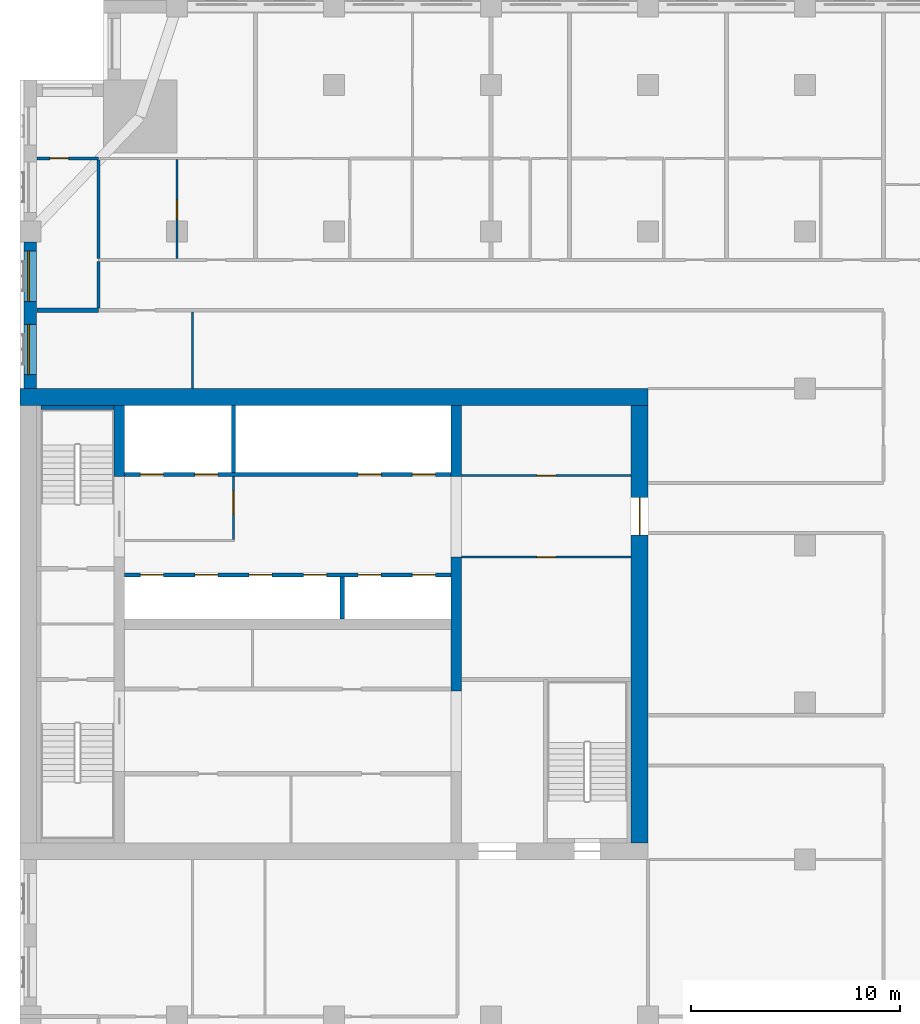
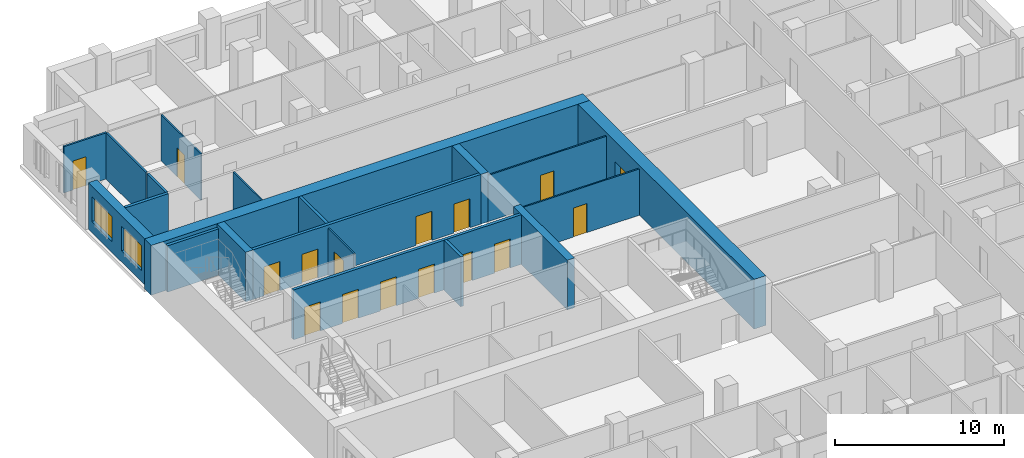
# One storey, part 8 of 14: 20 walls, 16 doors, 2 windows, 18 openings.
"""IFC4 building model written with IfcOpenShell, lengths in metres."""

import ifcopenshell
import ifcopenshell.guid

model = None  # the IFC model being written
_history = None  # IfcOwnerHistory: only IFC2X3 demands one
_inside = {}  # id of a spatial element -> (the spatial element, [elements in it])
_under = {}  # id of a project, library or spatial element -> (it, [spatial elements below it])
_declared = {}  # id of a project -> (the project, [libraries it declares])
_typed = {}  # id of a type object -> (the type object, [elements of that type])
_made_of = {}  # id of a material, layer set ... -> (it, [elements and type objects made of it])


def new_model(schema):
    """Start an empty IFC model of exactly this schema.

    Asked for "IFC4X3", IfcOpenShell would pick the latest addendum, in which some entities
    have other attributes; the version numbers below select the first issue.
    IFC2X3 requires an IfcOwnerHistory on every rooted entity: one is made here for all.
    """
    global model, _history
    if schema == "IFC4X3":
        model = ifcopenshell.file(schema_version=(4, 3, 0, 0))
    else:
        model = ifcopenshell.file(schema=schema)
    _inside.clear()
    _under.clear()
    _declared.clear()
    _typed.clear()
    _made_of.clear()
    _history = None
    if model.schema == "IFC2X3":
        org = make("IfcOrganization", Name="unknown")
        user = make(
            "IfcPersonAndOrganization",
            ThePerson=make("IfcPerson", FamilyName="unknown"),
            TheOrganization=org,
        )
        app = make(
            "IfcApplication",
            ApplicationDeveloper=org,
            Version="unknown",
            ApplicationFullName="unknown",
            ApplicationIdentifier="unknown",
        )
        _history = make(
            "IfcOwnerHistory",
            OwningUser=user,
            OwningApplication=app,
            ChangeAction="ADDED",
            CreationDate=0,
        )
    return model


def make(cls, **values):
    """One entity of the class cls with the attributes given. An attribute that is None is left unset."""
    return model.create_entity(
        cls, **{name: value for name, value in values.items() if value is not None}
    )


def rooted(cls, **values):
    """An entity with a GlobalId (a new one), such as an element, a storey or a relation."""
    return make(cls, GlobalId=ifcopenshell.guid.new(), OwnerHistory=_history, **values)


def si_unit(unit_type, name, prefix=None):
    """IfcSIUnit, for example si_unit("LENGTHUNIT", "METRE", prefix="MILLI")."""
    return make("IfcSIUnit", UnitType=unit_type, Prefix=prefix, Name=name)


def assignment(units):
    """IfcUnitAssignment: the units of a project."""
    return None if units is None else make("IfcUnitAssignment", Units=units)


def point(xyz):
    """IfcCartesianPoint."""
    return None if xyz is None else make("IfcCartesianPoint", Coordinates=xyz)


def direction(xyz):
    """IfcDirection."""
    return None if xyz is None else make("IfcDirection", DirectionRatios=xyz)


def frame(location, z_axis=None, x_axis=None):
    """IfcAxis2Placement3D, a coordinate frame: its origin and axes. An axis left out is left unset."""
    return make(
        "IfcAxis2Placement3D",
        Location=point(location),
        Axis=direction(z_axis),
        RefDirection=direction(x_axis),
    )


def frame_2d(location, x_axis=None):
    """IfcAxis2Placement2D, a coordinate frame in the plane: its origin and x axis."""
    return make(
        "IfcAxis2Placement2D", Location=point(location), RefDirection=direction(x_axis)
    )


def origin():
    """The frame at (0, 0, 0) with its axes left unset."""
    return frame((0.0, 0.0, 0.0))


def place(relative_to, where):
    """IfcLocalPlacement: puts the frame where relative to a parent placement (None: the world)."""
    return make(
        "IfcLocalPlacement", PlacementRelTo=relative_to, RelativePlacement=where
    )


def context(
    kind, dimensions, precision=None, world=None, true_north=None, identifier=None
):
    """IfcGeometricRepresentationContext, for example the 3D "Model" context."""
    return make(
        "IfcGeometricRepresentationContext",
        ContextIdentifier=identifier,
        ContextType=kind,
        CoordinateSpaceDimension=dimensions,
        Precision=precision,
        WorldCoordinateSystem=world,
        TrueNorth=true_north,
    )


def subcontext(parent, identifier, kind, view, scale=None):
    """IfcGeometricRepresentationSubContext, for example "Body" below "Model"."""
    return make(
        "IfcGeometricRepresentationSubContext",
        ContextIdentifier=identifier,
        ContextType=kind,
        ParentContext=parent,
        TargetScale=scale,
        TargetView=view,
    )


def project(units=None, contexts=None):
    """IfcProject with its units and contexts."""
    return rooted(
        "IfcProject",
        Name="project",
        RepresentationContexts=contexts,
        UnitsInContext=assignment(units),
    )


def spatial(cls, under=None, at=None, **own):
    """A site, building, storey or space (cls), placed at a placement, below another one or the project."""
    s = rooted(cls, ObjectPlacement=at, **own)
    if under is not None:
        _under.setdefault(under.id(), (under, []))[1].append(s)
    return s


def profile(cls, at=None, kind="AREA", **sizes):
    """A parametric profile (cls). Its sizes go by their IFC names, for example OverallWidth=200.0."""
    return make(cls, ProfileType=kind, Position=at, **sizes)


def rectangle(**sizes):
    """IfcRectangleProfileDef."""
    return profile("IfcRectangleProfileDef", **sizes)


def extrude(swept, where, along, depth):
    """IfcExtrudedAreaSolid: the profile swept, set in the frame where, extruded along a direction by depth."""
    return make(
        "IfcExtrudedAreaSolid",
        SweptArea=swept,
        Position=where,
        ExtrudedDirection=direction(along),
        Depth=depth,
    )


def shape(context_of_items, identifier, shape_type, items):
    """IfcShapeRepresentation: the items that make up one representation, for example the "Body"."""
    return make(
        "IfcShapeRepresentation",
        ContextOfItems=context_of_items,
        RepresentationIdentifier=identifier,
        RepresentationType=shape_type,
        Items=items,
    )


def material(Name=None, Category=None):
    """IfcMaterial."""
    return make("IfcMaterial", Name=Name, Category=Category)


def layer(
    of_material, thickness, ventilated=None, Name=None, Category=None, Priority=None
):
    """IfcMaterialLayer: one layer of a wall or slab, of a material (None: an air gap)."""
    return make(
        "IfcMaterialLayer",
        Material=of_material,
        LayerThickness=thickness,
        IsVentilated=ventilated,
        Name=Name,
        Category=Category,
        Priority=Priority,
    )


def layer_set(layers, Name=None):
    """IfcMaterialLayerSet."""
    return make("IfcMaterialLayerSet", MaterialLayers=layers, LayerSetName=Name)


def made_of(thing, what):
    """Note that an element or type object is made of a material, layer set ...; save() writes the relation."""
    if what is not None:
        _made_of.setdefault(what.id(), (what, []))[1].append(thing)
    return thing


def type_object(cls, material=None, **own):
    """A type object (cls), such as IfcWallType, which elements share."""
    return made_of(rooted(cls, **own), material)


def element(
    cls,
    number,
    at=None,
    inside=None,
    cuts=None,
    type_object=None,
    material=None,
    context=None,
    identifier="Body",
    shape_type=None,
    held_by="IfcProductDefinitionShape",
    body=None,
    shapes=None,
    **own,
):
    """One element of the class cls, such as IfcWall. Its Tag is "e" and its number.

    at: its placement. inside: the storey or other place that contains it. cuts: it is an
    opening in that element (IfcRelVoidsElement). A single representation is given by context,
    identifier, shape_type and body (its items); several are given by shapes. held_by: the class
    of the entity that holds the representations. save() writes the other relations.
    """
    e = rooted(cls, Tag="e%d" % number, ObjectPlacement=at, **own)
    if body is not None:
        shapes = [shape(context, identifier, shape_type, body)]
    if shapes is not None:
        e.Representation = make(held_by, Representations=shapes)
    if inside is not None:
        _inside.setdefault(inside.id(), (inside, []))[1].append(e)
    if cuts is not None:
        rooted(
            "IfcRelVoidsElement", RelatingBuildingElement=cuts, RelatedOpeningElement=e
        )
    if type_object is not None:
        _typed.setdefault(type_object.id(), (type_object, []))[1].append(e)
    return made_of(e, material)


def fill(opening, filler):
    """IfcRelFillsElement: the door or window that sits in an opening."""
    return rooted(
        "IfcRelFillsElement",
        RelatingOpeningElement=opening,
        RelatedBuildingElement=filler,
    )


def aggregate(whole, parts):
    """IfcRelAggregates: a whole, such as a stair, and the parts it consists of."""
    return rooted("IfcRelAggregates", RelatingObject=whole, RelatedObjects=parts)


def save(model, path):
    """Write the relations noted so far, then the file.

    IfcRelAggregates (storeys below a building ...), IfcRelContainedInSpatialStructure (elements
    in a storey), IfcRelDefinesByType, IfcRelAssociatesMaterial and IfcRelDeclares: one each for
    every whole, place, type object, material and project.
    """
    for whole, parts in _under.values():
        aggregate(whole, parts)
    for where, things in _inside.values():
        rooted(
            "IfcRelContainedInSpatialStructure",
            RelatedElements=things,
            RelatingStructure=where,
        )
    for kind, things in _typed.values():
        rooted("IfcRelDefinesByType", RelatedObjects=things, RelatingType=kind)
    for what, things in _made_of.values():
        rooted("IfcRelAssociatesMaterial", RelatedObjects=things, RelatingMaterial=what)
    for by, libraries in _declared.values():
        rooted("IfcRelDeclares", RelatingContext=by, RelatedDefinitions=libraries)
    model.write(path)


model = new_model("IFC4")

# Units and contexts
model_context = context("Model", 3, precision=1e-05, world=origin(), true_north=direction((0.0, 1.0)))
body_context = subcontext(model_context, "Body", "Model", "MODEL_VIEW")
ifc_project = project(units=[si_unit("LENGTHUNIT", "METRE"), si_unit("AREAUNIT", "SQUARE_METRE"), si_unit("VOLUMEUNIT", "CUBIC_METRE"), si_unit("PLANEANGLEUNIT", "RADIAN"), si_unit("MASSUNIT", "GRAM", prefix="KILO")], contexts=[model_context])

# Site, building, storey
site_placement = place(None, origin())
site = spatial("IfcSite", under=ifc_project, at=site_placement, CompositionType="ELEMENT")
building_placement = place(site_placement, origin())
building = spatial("IfcBuilding", under=site, at=building_placement, Name="Tamorin Gate", CompositionType="ELEMENT")
storey_placement = place(building_placement, frame((0.0, 0.0, 133.800048828125)))
storey = spatial("IfcBuildingStorey", under=building, at=storey_placement, Name="L32", CompositionType="ELEMENT", Elevation=133.800048828125)

# Wall, openings, windows
ifc_material_1 = material(Name="Precast concrete C40/50", Category="concrete")
ifc_layer_1 = layer(ifc_material_1, 0.60009765625)
ifc_layer_set_1 = layer_set([ifc_layer_1], Name="Precast concrete C40/50")
wall_type_1 = type_object("IfcWallType", Name="Board-marked concrete facade panel 600", PredefinedType="SOLIDWALL", material=ifc_layer_set_1)
wall_1_placement = place(storey_placement, frame((30.5, 89.5, 0.0), z_axis=(0.0, 0.0, 1.0), x_axis=(0.0, -1.0, 0.0)))
wall_1 = element("IfcWall", 1, at=wall_1_placement, inside=storey, type_object=wall_type_1, Name="Facade panel", PredefinedType="SOLIDWALL", context=body_context, shape_type="SweptSolid", body=[
    extrude(rectangle(XDim=7.0, YDim=0.60009765625, at=frame_2d((3.5, 0.0))), origin(), (0.0, 0.0, 1.0), 3.349853515625),
])
opening_1_placement = place(wall_1_placement, frame((3.925048828125, 0.0, 0.800048828125)))
opening_1 = element("IfcOpeningElement", 2, at=opening_1_placement, cuts=wall_1, Name="Opening WN1", PredefinedType="OPENING", context=body_context, shape_type="SweptSolid", body=[
    extrude(rectangle(XDim=2.39990234375, YDim=1.800048828125, at=frame_2d((1.199951171875, 0.89990234375))), frame((0.0, 0.31005859375, 0.0), z_axis=(0.0, -1.0, 0.0), x_axis=(1.0, 0.0, 0.0)), (0.0, 0.0, 1.0), 0.6201171875),
])
opening_2_placement = place(wall_1_placement, frame((0.425048828125, 0.0, 0.800048828125)))
opening_2 = element("IfcOpeningElement", 3, at=opening_2_placement, cuts=wall_1, Name="Opening WN1", PredefinedType="OPENING", context=body_context, shape_type="SweptSolid", body=[
    extrude(rectangle(XDim=2.39990234375, YDim=1.800048828125, at=frame_2d((1.199951171875, 0.89990234375))), frame((0.0, 0.31005859375, 0.0), z_axis=(0.0, -1.0, 0.0), x_axis=(1.0, 0.0, 0.0)), (0.0, 0.0, 1.0), 0.6201171875),
])
ifc_material_2 = material(Name="Clear glass in aluminium frame", Category="aluminium")
window_type = type_object("IfcWindowType", Name="Deep-set window 2400x1800", PartitioningType="SINGLE_PANEL", PredefinedType="WINDOW", material=ifc_material_2)
window_1_placement = place(opening_1_placement, origin())
window_1 = element("IfcWindow", 4, at=window_1_placement, inside=storey, type_object=window_type, Name="Deep-set window", OverallHeight=1.800048828125, OverallWidth=2.39990234375, PartitioningType="SINGLE_PANEL", PredefinedType="WINDOW", context=body_context, shape_type="SweptSolid", body=[
    extrude(rectangle(XDim=2.39990234375, YDim=1.800048828125, at=frame_2d((1.199951171875, 0.89990234375))), frame((0.0, -0.070068359375, 0.0), z_axis=(0.0, -1.0, 0.0), x_axis=(1.0, 0.0, 0.0)), (0.0, 0.0, 1.0), 0.06005859375),
])
fill(opening_1, window_1)
window_2_placement = place(opening_2_placement, origin())
window_2 = element("IfcWindow", 5, at=window_2_placement, inside=storey, type_object=window_type, Name="Deep-set window", OverallHeight=1.800048828125, OverallWidth=2.39990234375, PartitioningType="SINGLE_PANEL", PredefinedType="WINDOW", context=body_context, shape_type="SweptSolid", body=[
    extrude(rectangle(XDim=2.39990234375, YDim=1.800048828125, at=frame_2d((1.199951171875, 0.89990234375))), frame((0.0, -0.070068359375, 0.0), z_axis=(0.0, -1.0, 0.0), x_axis=(1.0, 0.0, 0.0)), (0.0, 0.0, 1.0), 0.06005859375),
])
fill(opening_2, window_2)

# Walls
ifc_material_3 = material(Name="Gypsum board partition")
ifc_layer_2 = layer(ifc_material_3, 0.14990234375)
ifc_layer_set_2 = layer_set([ifc_layer_2], Name="Corridor wall 150")
wall_type_2 = type_object("IfcWallType", Name="Corridor wall 150", PredefinedType="PARTITIONING", material=ifc_layer_set_2)
wall_2_placement = place(storey_placement, frame((33.75, 86.35009765625, 0.0), z_axis=(0.0, 0.0, 1.0), x_axis=(0.0, 1.0, 0.0)))
element("IfcWall", 6, at=wall_2_placement, inside=storey, type_object=wall_type_2, Name="Corridor wall 150", PredefinedType="PARTITIONING", context=body_context, shape_type="SweptSolid", body=[
    extrude(rectangle(XDim=2.224853515625, YDim=0.14990234375, at=frame_2d((1.1123046875, 0.0))), origin(), (0.0, 0.0, 1.0), 3.349853515625),
])
ifc_layer_3 = layer(ifc_material_3, 0.199951171875)
ifc_layer_set_3 = layer_set([ifc_layer_3], Name="Demising wall 200")
wall_type_3 = type_object("IfcWallType", Name="Demising wall 200", PredefinedType="PARTITIONING", material=ifc_layer_set_3)
wall_3_placement = place(storey_placement, frame((30.81005859375, 86.25, 0.0), z_axis=(0.0, 0.0, 1.0), x_axis=(1.0, 0.0, 0.0)))
element("IfcWall", 7, at=wall_3_placement, inside=storey, type_object=wall_type_3, Name="Demising wall 200", PredefinedType="PARTITIONING", context=body_context, shape_type="SweptSolid", body=[
    extrude(rectangle(XDim=2.93994140625, YDim=0.199951171875, at=frame_2d((1.469970703125, 0.0))), origin(), (0.0, 0.0, 1.0), 3.349853515625),
])

# Wall, openings, doors
ifc_material_4 = material(Name="Concrete C32/40", Category="concrete")
ifc_layer_4 = layer(ifc_material_4, 0.199951171875)
ifc_layer_set_4 = layer_set([ifc_layer_4], Name="Lift lobby face wall 200 EI 120")
wall_type_4 = type_object("IfcWallType", Name="Lift lobby face wall 200 EI 120", PredefinedType="SOLIDWALL", material=ifc_layer_set_4)
wall_4_placement = place(storey_placement, frame((35.0, 73.60009765625, 0.0), z_axis=(0.0, 0.0, 1.0), x_axis=(1.0, 0.0, 0.0)))
wall_4 = element("IfcWall", 8, at=wall_4_placement, inside=storey, type_object=wall_type_4, Name="Lift lobby face wall", PredefinedType="SOLIDWALL", context=body_context, shape_type="SweptSolid", body=[
    extrude(rectangle(XDim=15.60009765625, YDim=0.199951171875, at=frame_2d((7.800048828125, 0.0))), origin(), (0.0, 0.0, 1.0), 3.599853515625),
])
opening_3_placement = place(wall_4_placement, frame((0.75, 0.0, 0.0)))
opening_3 = element("IfcOpeningElement", 9, at=opening_3_placement, cuts=wall_4, Name="Opening LD11", PredefinedType="OPENING", context=body_context, shape_type="SweptSolid", body=[
    extrude(rectangle(XDim=1.10009765625, YDim=2.10009765625, at=frame_2d((0.550048828125, 1.050048828125))), frame((0.0, 0.10986328125, 0.0), z_axis=(0.0, -1.0, 0.0), x_axis=(1.0, 0.0, 0.0)), (0.0, 0.0, 1.0), 0.219970703125),
])
opening_4_placement = place(wall_4_placement, frame((3.35009765625, 0.0, 0.0)))
opening_4 = element("IfcOpeningElement", 10, at=opening_4_placement, cuts=wall_4, Name="Opening LD12", PredefinedType="OPENING", context=body_context, shape_type="SweptSolid", body=[
    extrude(rectangle(XDim=1.10009765625, YDim=2.10009765625, at=frame_2d((0.550048828125, 1.050048828125))), frame((0.0, 0.10986328125, 0.0), z_axis=(0.0, -1.0, 0.0), x_axis=(1.0, 0.0, 0.0)), (0.0, 0.0, 1.0), 0.219970703125),
])
opening_5_placement = place(wall_4_placement, frame((5.949951171875, 0.0, 0.0)))
opening_5 = element("IfcOpeningElement", 11, at=opening_5_placement, cuts=wall_4, Name="Opening LD13", PredefinedType="OPENING", context=body_context, shape_type="SweptSolid", body=[
    extrude(rectangle(XDim=1.10009765625, YDim=2.10009765625, at=frame_2d((0.550048828125, 1.050048828125))), frame((0.0, 0.10986328125, 0.0), z_axis=(0.0, -1.0, 0.0), x_axis=(1.0, 0.0, 0.0)), (0.0, 0.0, 1.0), 0.219970703125),
])
opening_6_placement = place(wall_4_placement, frame((8.550048828125, 0.0, 0.0)))
opening_6 = element("IfcOpeningElement", 12, at=opening_6_placement, cuts=wall_4, Name="Opening LD14", PredefinedType="OPENING", context=body_context, shape_type="SweptSolid", body=[
    extrude(rectangle(XDim=1.10009765625, YDim=2.10009765625, at=frame_2d((0.550048828125, 1.050048828125))), frame((0.0, 0.10986328125, 0.0), z_axis=(0.0, -1.0, 0.0), x_axis=(1.0, 0.0, 0.0)), (0.0, 0.0, 1.0), 0.219970703125),
])
opening_7_placement = place(wall_4_placement, frame((11.14990234375, 0.0, 0.0)))
opening_7 = element("IfcOpeningElement", 13, at=opening_7_placement, cuts=wall_4, Name="Opening LD15", PredefinedType="OPENING", context=body_context, shape_type="SweptSolid", body=[
    extrude(rectangle(XDim=1.10009765625, YDim=2.10009765625, at=frame_2d((0.550048828125, 1.050048828125))), frame((0.0, 0.10986328125, 0.0), z_axis=(0.0, -1.0, 0.0), x_axis=(1.0, 0.0, 0.0)), (0.0, 0.0, 1.0), 0.219970703125),
])
opening_8_placement = place(wall_4_placement, frame((13.75, 0.0, 0.0)))
opening_8 = element("IfcOpeningElement", 14, at=opening_8_placement, cuts=wall_4, Name="Opening LD16", PredefinedType="OPENING", context=body_context, shape_type="SweptSolid", body=[
    extrude(rectangle(XDim=1.10009765625, YDim=2.10009765625, at=frame_2d((0.550048828125, 1.050048828125))), frame((0.0, 0.10986328125, 0.0), z_axis=(0.0, -1.0, 0.0), x_axis=(1.0, 0.0, 0.0)), (0.0, 0.0, 1.0), 0.219970703125),
])
ifc_material_5 = material(Name="Stainless steel sliding door", Category="steel")
door_type_1 = type_object("IfcDoorType", Name="Lift landing door 1100 x 2100 E 90", OperationType="DOUBLE_DOOR_SLIDING", PredefinedType="DOOR", material=ifc_material_5)
door_1_placement = place(opening_3_placement, origin())
door_1 = element("IfcDoor", 15, at=door_1_placement, inside=storey, type_object=door_type_1, Name="HR1 landing door", OperationType="DOUBLE_DOOR_SLIDING", OverallHeight=2.10009765625, OverallWidth=1.10009765625, PredefinedType="DOOR", context=body_context, shape_type="SweptSolid", body=[
    extrude(rectangle(XDim=1.10009765625, YDim=2.10009765625, at=frame_2d((0.550048828125, 1.050048828125))), frame((0.0, 0.02490234375, 0.0), z_axis=(0.0, -1.0, 0.0), x_axis=(1.0, 0.0, 0.0)), (0.0, 0.0, 1.0), 0.050048828125),
])
fill(opening_3, door_1)
door_2_placement = place(opening_4_placement, origin())
door_2 = element("IfcDoor", 16, at=door_2_placement, inside=storey, type_object=door_type_1, Name="HR2 landing door", OperationType="DOUBLE_DOOR_SLIDING", OverallHeight=2.10009765625, OverallWidth=1.10009765625, PredefinedType="DOOR", context=body_context, shape_type="SweptSolid", body=[
    extrude(rectangle(XDim=1.10009765625, YDim=2.10009765625, at=frame_2d((0.550048828125, 1.050048828125))), frame((0.0, 0.02490234375, 0.0), z_axis=(0.0, -1.0, 0.0), x_axis=(1.0, 0.0, 0.0)), (0.0, 0.0, 1.0), 0.050048828125),
])
fill(opening_4, door_2)
door_3_placement = place(opening_5_placement, origin())
door_3 = element("IfcDoor", 17, at=door_3_placement, inside=storey, type_object=door_type_1, Name="HR3 landing door", OperationType="DOUBLE_DOOR_SLIDING", OverallHeight=2.10009765625, OverallWidth=1.10009765625, PredefinedType="DOOR", context=body_context, shape_type="SweptSolid", body=[
    extrude(rectangle(XDim=1.10009765625, YDim=2.10009765625, at=frame_2d((0.550048828125, 1.050048828125))), frame((0.0, 0.02490234375, 0.0), z_axis=(0.0, -1.0, 0.0), x_axis=(1.0, 0.0, 0.0)), (0.0, 0.0, 1.0), 0.050048828125),
])
fill(opening_5, door_3)
door_4_placement = place(opening_6_placement, origin())
door_4 = element("IfcDoor", 18, at=door_4_placement, inside=storey, type_object=door_type_1, Name="HR4 landing door", OperationType="DOUBLE_DOOR_SLIDING", OverallHeight=2.10009765625, OverallWidth=1.10009765625, PredefinedType="DOOR", context=body_context, shape_type="SweptSolid", body=[
    extrude(rectangle(XDim=1.10009765625, YDim=2.10009765625, at=frame_2d((0.550048828125, 1.050048828125))), frame((0.0, 0.02490234375, 0.0), z_axis=(0.0, -1.0, 0.0), x_axis=(1.0, 0.0, 0.0)), (0.0, 0.0, 1.0), 0.050048828125),
])
fill(opening_6, door_4)
door_5_placement = place(opening_7_placement, origin())
door_5 = element("IfcDoor", 19, at=door_5_placement, inside=storey, type_object=door_type_1, Name="HR5 landing door", OperationType="DOUBLE_DOOR_SLIDING", OverallHeight=2.10009765625, OverallWidth=1.10009765625, PredefinedType="DOOR", context=body_context, shape_type="SweptSolid", body=[
    extrude(rectangle(XDim=1.10009765625, YDim=2.10009765625, at=frame_2d((0.550048828125, 1.050048828125))), frame((0.0, 0.02490234375, 0.0), z_axis=(0.0, -1.0, 0.0), x_axis=(1.0, 0.0, 0.0)), (0.0, 0.0, 1.0), 0.050048828125),
])
fill(opening_7, door_5)
door_6_placement = place(opening_8_placement, origin())
door_6 = element("IfcDoor", 20, at=door_6_placement, inside=storey, type_object=door_type_1, Name="HR6 landing door", OperationType="DOUBLE_DOOR_SLIDING", OverallHeight=2.10009765625, OverallWidth=1.10009765625, PredefinedType="DOOR", context=body_context, shape_type="SweptSolid", body=[
    extrude(rectangle(XDim=1.10009765625, YDim=2.10009765625, at=frame_2d((0.550048828125, 1.050048828125))), frame((0.0, 0.02490234375, 0.0), z_axis=(0.0, -1.0, 0.0), x_axis=(1.0, 0.0, 0.0)), (0.0, 0.0, 1.0), 0.050048828125),
])
fill(opening_8, door_6)

wall_5_placement = place(storey_placement, frame((35.0, 78.39990234375, 0.0), z_axis=(0.0, 0.0, 1.0), x_axis=(1.0, 0.0, 0.0)))
wall_5 = element("IfcWall", 21, at=wall_5_placement, inside=storey, type_object=wall_type_4, Name="Lift lobby face wall", PredefinedType="SOLIDWALL", context=body_context, shape_type="SweptSolid", body=[
    extrude(rectangle(XDim=15.60009765625, YDim=0.199951171875, at=frame_2d((7.800048828125, 0.0))), origin(), (0.0, 0.0, 1.0), 3.599853515625),
])
opening_9_placement = place(wall_5_placement, frame((0.75, 0.0, 0.0)))
opening_9 = element("IfcOpeningElement", 22, at=opening_9_placement, cuts=wall_5, Name="Opening LD17", PredefinedType="OPENING", context=body_context, shape_type="SweptSolid", body=[
    extrude(rectangle(XDim=1.10009765625, YDim=2.10009765625, at=frame_2d((0.550048828125, 1.050048828125))), frame((0.0, 0.10986328125, 0.0), z_axis=(0.0, -1.0, 0.0), x_axis=(1.0, 0.0, 0.0)), (0.0, 0.0, 1.0), 0.219970703125),
])
opening_10_placement = place(wall_5_placement, frame((3.35009765625, 0.0, 0.0)))
opening_10 = element("IfcOpeningElement", 23, at=opening_10_placement, cuts=wall_5, Name="Opening LD18", PredefinedType="OPENING", context=body_context, shape_type="SweptSolid", body=[
    extrude(rectangle(XDim=1.10009765625, YDim=2.10009765625, at=frame_2d((0.550048828125, 1.050048828125))), frame((0.0, 0.10986328125, 0.0), z_axis=(0.0, -1.0, 0.0), x_axis=(1.0, 0.0, 0.0)), (0.0, 0.0, 1.0), 0.219970703125),
])
opening_11_placement = place(wall_5_placement, frame((11.14990234375, 0.0, 0.0)))
opening_11 = element("IfcOpeningElement", 24, at=opening_11_placement, cuts=wall_5, Name="Opening LD21", PredefinedType="OPENING", context=body_context, shape_type="SweptSolid", body=[
    extrude(rectangle(XDim=1.10009765625, YDim=2.10009765625, at=frame_2d((0.550048828125, 1.050048828125))), frame((0.0, 0.10986328125, 0.0), z_axis=(0.0, -1.0, 0.0), x_axis=(1.0, 0.0, 0.0)), (0.0, 0.0, 1.0), 0.219970703125),
])
opening_12_placement = place(wall_5_placement, frame((13.75, 0.0, 0.0)))
opening_12 = element("IfcOpeningElement", 25, at=opening_12_placement, cuts=wall_5, Name="Opening LD22", PredefinedType="OPENING", context=body_context, shape_type="SweptSolid", body=[
    extrude(rectangle(XDim=1.10009765625, YDim=2.10009765625, at=frame_2d((0.550048828125, 1.050048828125))), frame((0.0, 0.10986328125, 0.0), z_axis=(0.0, -1.0, 0.0), x_axis=(1.0, 0.0, 0.0)), (0.0, 0.0, 1.0), 0.219970703125),
])
door_7_placement = place(opening_9_placement, origin())
door_7 = element("IfcDoor", 26, at=door_7_placement, inside=storey, type_object=door_type_1, Name="FF1 landing door", OperationType="DOUBLE_DOOR_SLIDING", OverallHeight=2.10009765625, OverallWidth=1.10009765625, PredefinedType="DOOR", context=body_context, shape_type="SweptSolid", body=[
    extrude(rectangle(XDim=1.10009765625, YDim=2.10009765625, at=frame_2d((0.550048828125, 1.050048828125))), frame((0.0, 0.02490234375, 0.0), z_axis=(0.0, -1.0, 0.0), x_axis=(1.0, 0.0, 0.0)), (0.0, 0.0, 1.0), 0.050048828125),
])
fill(opening_9, door_7)
door_8_placement = place(opening_10_placement, origin())
door_8 = element("IfcDoor", 27, at=door_8_placement, inside=storey, type_object=door_type_1, Name="FF2 landing door", OperationType="DOUBLE_DOOR_SLIDING", OverallHeight=2.10009765625, OverallWidth=1.10009765625, PredefinedType="DOOR", context=body_context, shape_type="SweptSolid", body=[
    extrude(rectangle(XDim=1.10009765625, YDim=2.10009765625, at=frame_2d((0.550048828125, 1.050048828125))), frame((0.0, 0.02490234375, 0.0), z_axis=(0.0, -1.0, 0.0), x_axis=(1.0, 0.0, 0.0)), (0.0, 0.0, 1.0), 0.050048828125),
])
fill(opening_10, door_8)
door_9_placement = place(opening_11_placement, origin())
door_9 = element("IfcDoor", 28, at=door_9_placement, inside=storey, type_object=door_type_1, Name="SV1 landing door", OperationType="DOUBLE_DOOR_SLIDING", OverallHeight=2.10009765625, OverallWidth=1.10009765625, PredefinedType="DOOR", context=body_context, shape_type="SweptSolid", body=[
    extrude(rectangle(XDim=1.10009765625, YDim=2.10009765625, at=frame_2d((0.550048828125, 1.050048828125))), frame((0.0, 0.02490234375, 0.0), z_axis=(0.0, -1.0, 0.0), x_axis=(1.0, 0.0, 0.0)), (0.0, 0.0, 1.0), 0.050048828125),
])
fill(opening_11, door_9)
door_10_placement = place(opening_12_placement, origin())
door_10 = element("IfcDoor", 29, at=door_10_placement, inside=storey, type_object=door_type_1, Name="SV2 landing door", OperationType="DOUBLE_DOOR_SLIDING", OverallHeight=2.10009765625, OverallWidth=1.10009765625, PredefinedType="DOOR", context=body_context, shape_type="SweptSolid", body=[
    extrude(rectangle(XDim=1.10009765625, YDim=2.10009765625, at=frame_2d((0.550048828125, 1.050048828125))), frame((0.0, 0.02490234375, 0.0), z_axis=(0.0, -1.0, 0.0), x_axis=(1.0, 0.0, 0.0)), (0.0, 0.0, 1.0), 0.050048828125),
])
fill(opening_12, door_10)

# Walls
ifc_layer_5 = layer(ifc_material_4, 0.199951171875)
ifc_layer_set_5 = layer_set([ifc_layer_5], Name="Lift shaft wall 200 EI 120")
wall_type_5 = type_object("IfcWallType", Name="Lift shaft wall 200 EI 120", PredefinedType="SOLIDWALL", material=ifc_layer_set_5)
wall_6_placement = place(storey_placement, frame((45.39990234375, 71.5, 0.0), z_axis=(0.0, 0.0, 1.0), x_axis=(0.0, 1.0, 0.0)))
element("IfcWall", 30, at=wall_6_placement, inside=storey, type_object=wall_type_5, Name="Lift shaft wall", PredefinedType="SOLIDWALL", context=body_context, shape_type="SweptSolid", body=[
    extrude(rectangle(XDim=2.0, YDim=0.199951171875, at=frame_2d((1.0, 0.0))), origin(), (0.0, 0.0, 1.0), 3.599853515625),
])
wall_7_placement = place(storey_placement, frame((40.199951171875, 78.5, 0.0), z_axis=(0.0, 0.0, 1.0), x_axis=(0.0, 1.0, 0.0)))
element("IfcWall", 31, at=wall_7_placement, inside=storey, type_object=wall_type_5, Name="Lift shaft wall", PredefinedType="SOLIDWALL", context=body_context, shape_type="SweptSolid", body=[
    extrude(rectangle(XDim=3.199951171875, YDim=0.199951171875, at=frame_2d((1.60009765625, 0.0))), origin(), (0.0, 0.0, 1.0), 3.599853515625),
])

# Wall, opening, door
ifc_material_6 = material(Name="Fire-rated gypsum board partition")
ifc_layer_6 = layer(ifc_material_6, 0.10009765625)
ifc_layer_set_6 = layer_set([ifc_layer_6], Name="Lobby wall 100 EI 60")
wall_type_6 = type_object("IfcWallType", Name="Lobby wall 100 EI 60", PredefinedType="PARTITIONING", material=ifc_layer_set_6)
wall_8_placement = place(storey_placement, frame((40.199951171875, 75.300048828125, 0.0), z_axis=(0.0, 0.0, 1.0), x_axis=(0.0, 1.0, 0.0)))
wall_8 = element("IfcWall", 32, at=wall_8_placement, inside=storey, type_object=wall_type_6, Name="Firefighting lobby wall", PredefinedType="PARTITIONING", context=body_context, shape_type="SweptSolid", body=[
    extrude(rectangle(XDim=3.0, YDim=0.10009765625, at=frame_2d((1.5, 0.0))), origin(), (0.0, 0.0, 1.0), 3.349853515625),
])
opening_13_placement = place(wall_8_placement, frame((1.199951171875, 0.0, 0.0)))
opening_13 = element("IfcOpeningElement", 33, at=opening_13_placement, cuts=wall_8, Name="Opening DF1", PredefinedType="OPENING", context=body_context, shape_type="SweptSolid", body=[
    extrude(rectangle(XDim=1.10009765625, YDim=2.10009765625, at=frame_2d((0.550048828125, 1.050048828125))), frame((0.0, 0.06005859375, 0.0), z_axis=(0.0, -1.0, 0.0), x_axis=(1.0, 0.0, 0.0)), (0.0, 0.0, 1.0), 0.1201171875),
])
ifc_material_7 = material(Name="Steel fire door", Category="steel")
door_type_2 = type_object("IfcDoorType", Name="Firefighting lobby door 1100 x 2100 EI 90", OperationType="SINGLE_SWING_LEFT", PredefinedType="DOOR", material=ifc_material_7)
door_11_placement = place(opening_13_placement, origin())
door_11 = element("IfcDoor", 34, at=door_11_placement, inside=storey, type_object=door_type_2, Name="Firefighting lobby door", OperationType="SINGLE_SWING_LEFT", OverallHeight=2.10009765625, OverallWidth=1.10009765625, PredefinedType="DOOR", context=body_context, shape_type="SweptSolid", body=[
    extrude(rectangle(XDim=1.10009765625, YDim=2.10009765625, at=frame_2d((0.550048828125, 1.050048828125))), frame((0.0, 0.02490234375, 0.0), z_axis=(0.0, -1.0, 0.0), x_axis=(1.0, 0.0, 0.0)), (0.0, 0.0, 1.0), 0.050048828125),
])
fill(opening_13, door_11)

# Walls
ifc_material_8 = material(Name="Concrete C60/75", Category="concrete")
ifc_layer_7 = layer(ifc_material_8, 0.5)
ifc_layer_set_7 = layer_set([ifc_layer_7], Name="RC core internal wall 500 C60/75")
wall_type_7 = type_object("IfcWallType", Name="RC core internal wall 500 C60/75", PredefinedType="SHEAR", material=ifc_layer_set_7)
wall_9_placement = place(storey_placement, frame((34.75, 78.300048828125, 0.0), z_axis=(0.0, 0.0, 1.0), x_axis=(0.0, 1.0, 0.0)))
element("IfcWall", 35, at=wall_9_placement, inside=storey, type_object=wall_type_7, Name="Core cross wall L32", PredefinedType="SHEAR", context=body_context, shape_type="SweptSolid", body=[
    extrude(rectangle(XDim=3.39990234375, YDim=0.5, at=frame_2d((1.699951171875, 0.0))), origin(), (0.0, 0.0, 1.0), 3.599853515625),
])
wall_10_placement = place(storey_placement, frame((50.85009765625, 68.050048828125, 0.0), z_axis=(0.0, 0.0, 1.0), x_axis=(0.0, 1.0, 0.0)))
element("IfcWall", 36, at=wall_10_placement, inside=storey, type_object=wall_type_7, Name="Core cross wall L32", PredefinedType="SHEAR", context=body_context, shape_type="SweptSolid", body=[
    extrude(rectangle(XDim=6.39990234375, YDim=0.5, at=frame_2d((3.199951171875, 0.0))), origin(), (0.0, 0.0, 1.0), 3.599853515625),
])
wall_11_placement = place(storey_placement, frame((50.85009765625, 78.300048828125, 0.0), z_axis=(0.0, 0.0, 1.0), x_axis=(0.0, 1.0, 0.0)))
element("IfcWall", 37, at=wall_11_placement, inside=storey, type_object=wall_type_7, Name="Core cross wall L32", PredefinedType="SHEAR", context=body_context, shape_type="SweptSolid", body=[
    extrude(rectangle(XDim=3.39990234375, YDim=0.5, at=frame_2d((1.699951171875, 0.0))), origin(), (0.0, 0.0, 1.0), 3.599853515625),
])
ifc_layer_8 = layer(ifc_material_8, 0.800048828125)
ifc_layer_set_8 = layer_set([ifc_layer_8], Name="RC core wall 800 C60/75")
wall_type_8 = type_object("IfcWallType", Name="RC core wall 800 C60/75", PredefinedType="SHEAR", material=ifc_layer_set_8)
wall_12_placement = place(storey_placement, frame((30.0, 82.10009765625, 0.0), z_axis=(0.0, 0.0, 1.0), x_axis=(1.0, 0.0, 0.0)))
element("IfcWall", 38, at=wall_12_placement, inside=storey, type_object=wall_type_8, Name="Core wall L32", PredefinedType="SHEAR", context=body_context, shape_type="SweptSolid", body=[
    extrude(rectangle(XDim=30.0, YDim=0.800048828125, at=frame_2d((15.0, 0.0))), origin(), (0.0, 0.0, 1.0), 3.599853515625),
])

# Wall, opening, door
wall_13_placement = place(storey_placement, frame((59.60009765625, 60.800048828125, 0.0), z_axis=(0.0, 0.0, 1.0), x_axis=(0.0, 1.0, 0.0)))
wall_13 = element("IfcWall", 39, at=wall_13_placement, inside=storey, type_object=wall_type_8, Name="Core wall L32", PredefinedType="SHEAR", context=body_context, shape_type="SweptSolid", body=[
    extrude(rectangle(XDim=20.89990234375, YDim=0.800048828125, at=frame_2d((10.449951171875, 0.0))), origin(), (0.0, 0.0, 1.0), 3.599853515625),
])
opening_14_placement = place(wall_13_placement, frame((14.699951171875, 0.0, 0.0)))
opening_14 = element("IfcOpeningElement", 40, at=opening_14_placement, cuts=wall_13, Name="Opening DE1", PredefinedType="OPENING", context=body_context, shape_type="SweptSolid", body=[
    extrude(rectangle(XDim=1.800048828125, YDim=2.10009765625, at=frame_2d((0.89990234375, 1.050048828125))), frame((0.0, 0.409912109375, 0.0), z_axis=(0.0, -1.0, 0.0), x_axis=(1.0, 0.0, 0.0)), (0.0, 0.0, 1.0), 0.820068359375),
])
door_type_3 = type_object("IfcDoorType", Name="Lobby exit double door 1800 x 2100 EI 60", OperationType="DOUBLE_DOOR_SINGLE_SWING", PredefinedType="DOOR", material=ifc_material_7)
door_12_placement = place(opening_14_placement, origin())
door_12 = element("IfcDoor", 41, at=door_12_placement, inside=storey, type_object=door_type_3, Name="Lift lobby B exit door", OperationType="DOUBLE_DOOR_SINGLE_SWING", OverallHeight=2.10009765625, OverallWidth=1.800048828125, PredefinedType="DOOR", context=body_context, shape_type="SweptSolid", body=[
    extrude(rectangle(XDim=1.800048828125, YDim=2.10009765625, at=frame_2d((0.89990234375, 1.050048828125))), frame((0.0, 0.02490234375, 0.0), z_axis=(0.0, -1.0, 0.0), x_axis=(1.0, 0.0, 0.0)), (0.0, 0.0, 1.0), 0.050048828125),
])
fill(opening_14, door_12)

ifc_layer_9 = layer(ifc_material_3, 0.10009765625)
ifc_layer_set_9 = layer_set([ifc_layer_9], Name="Room partition 100")
wall_type_9 = type_object("IfcWallType", Name="Room partition 100", PredefinedType="PARTITIONING", material=ifc_layer_set_9)
wall_14_placement = place(storey_placement, frame((37.5, 88.72509765625, 0.0), z_axis=(0.0, 0.0, 1.0), x_axis=(0.0, 1.0, 0.0)))
wall_14 = element("IfcWall", 42, at=wall_14_placement, inside=storey, type_object=wall_type_9, Name="Room partition 100", PredefinedType="PARTITIONING", context=body_context, shape_type="SweptSolid", body=[
    extrude(rectangle(XDim=4.724853515625, YDim=0.10009765625, at=frame_2d((2.3623046875, 0.0))), origin(), (0.0, 0.0, 1.0), 3.349853515625),
])
opening_15_placement = place(wall_14_placement, frame((1.89990234375, 0.0, 0.0)))
opening_15 = element("IfcOpeningElement", 43, at=opening_15_placement, cuts=wall_14, Name="Opening DS2020", PredefinedType="OPENING", context=body_context, shape_type="SweptSolid", body=[
    extrude(rectangle(XDim=0.89990234375, YDim=2.10009765625, at=frame_2d((0.449951171875, 1.050048828125))), frame((0.0, 0.06005859375, 0.0), z_axis=(0.0, -1.0, 0.0), x_axis=(1.0, 0.0, 0.0)), (0.0, 0.0, 1.0), 0.1201171875),
])
ifc_material_9 = material(Name="Timber door leaf", Category="wood")
door_type_4 = type_object("IfcDoorType", Name="Door 900 x 2100", OperationType="NOTDEFINED", PredefinedType="DOOR", material=ifc_material_9)
door_13_placement = place(opening_15_placement, origin())
door_13 = element("IfcDoor", 44, at=door_13_placement, inside=storey, type_object=door_type_4, Name="Door DS2020", OperationType="SINGLE_SWING_RIGHT", OverallHeight=2.10009765625, OverallWidth=0.89990234375, PredefinedType="DOOR", context=body_context, shape_type="SweptSolid", body=[
    extrude(rectangle(XDim=0.89990234375, YDim=2.10009765625, at=frame_2d((0.449951171875, 1.050048828125))), frame((0.0, 0.02490234375, 0.0), z_axis=(0.0, -1.0, 0.0), x_axis=(1.0, 0.0, 0.0)), (0.0, 0.0, 1.0), 0.050048828125),
])
fill(opening_15, door_13)

# Wall
wall_15_placement = place(storey_placement, frame((38.25, 82.5, 0.0), z_axis=(0.0, 0.0, 1.0), x_axis=(0.0, 1.0, 0.0)))
element("IfcWall", 45, at=wall_15_placement, inside=storey, type_object=wall_type_9, Name="Room partition 100", PredefinedType="PARTITIONING", context=body_context, shape_type="SweptSolid", body=[
    extrude(rectangle(XDim=3.675048828125, YDim=0.10009765625, at=frame_2d((1.83740234375, 0.0))), origin(), (0.0, 0.0, 1.0), 3.349853515625),
])

# Wall, opening, door
ifc_layer_10 = layer(ifc_material_3, 0.10009765625)
ifc_layer_set_10 = layer_set([ifc_layer_10], Name="Service room partition 100 EI 60")
wall_type_10 = type_object("IfcWallType", Name="Service room partition 100 EI 60", PredefinedType="PARTITIONING", material=ifc_layer_set_10)
wall_16_placement = place(storey_placement, frame((51.10009765625, 74.449951171875, 0.0), z_axis=(0.0, 0.0, 1.0), x_axis=(1.0, 0.0, 0.0)))
wall_16 = element("IfcWall", 46, at=wall_16_placement, inside=storey, type_object=wall_type_10, Name="Service room wall", PredefinedType="PARTITIONING", context=body_context, shape_type="SweptSolid", body=[
    extrude(rectangle(XDim=8.099853515625, YDim=0.10009765625, at=frame_2d((4.0498046875, 0.0))), origin(), (0.0, 0.0, 1.0), 3.349853515625),
])
opening_16_placement = place(wall_16_placement, frame((3.60009765625, 0.0, 0.0)))
opening_16 = element("IfcOpeningElement", 47, at=opening_16_placement, cuts=wall_16, Name="Opening DR1", PredefinedType="OPENING", context=body_context, shape_type="SweptSolid", body=[
    extrude(rectangle(XDim=0.89990234375, YDim=2.10009765625, at=frame_2d((0.449951171875, 1.050048828125))), frame((0.0, 0.06005859375, 0.0), z_axis=(0.0, -1.0, 0.0), x_axis=(1.0, 0.0, 0.0)), (0.0, 0.0, 1.0), 0.1201171875),
])
door_type_5 = type_object("IfcDoorType", Name="Riser access door 900 x 2100 EI 120", OperationType="SINGLE_SWING_LEFT", PredefinedType="DOOR", material=ifc_material_7)
door_14_placement = place(opening_16_placement, origin())
door_14 = element("IfcDoor", 48, at=door_14_placement, inside=storey, type_object=door_type_5, Name="Duct riser door", OperationType="SINGLE_SWING_RIGHT", OverallHeight=2.10009765625, OverallWidth=0.89990234375, PredefinedType="DOOR", context=body_context, shape_type="SweptSolid", body=[
    extrude(rectangle(XDim=0.89990234375, YDim=2.10009765625, at=frame_2d((0.449951171875, 1.050048828125))), frame((0.0, 0.02490234375, 0.0), z_axis=(0.0, -1.0, 0.0), x_axis=(1.0, 0.0, 0.0)), (0.0, 0.0, 1.0), 0.050048828125),
])
fill(opening_16, door_14)

wall_17_placement = place(storey_placement, frame((51.10009765625, 78.35009765625, 0.0), z_axis=(0.0, 0.0, 1.0), x_axis=(1.0, 0.0, 0.0)))
wall_17 = element("IfcWall", 49, at=wall_17_placement, inside=storey, type_object=wall_type_10, Name="Service room wall", PredefinedType="PARTITIONING", context=body_context, shape_type="SweptSolid", body=[
    extrude(rectangle(XDim=8.099853515625, YDim=0.10009765625, at=frame_2d((4.0498046875, 0.0))), origin(), (0.0, 0.0, 1.0), 3.349853515625),
])
opening_17_placement = place(wall_17_placement, frame((3.60009765625, 0.0, 0.0)))
opening_17 = element("IfcOpeningElement", 50, at=opening_17_placement, cuts=wall_17, Name="Opening DK1", PredefinedType="OPENING", context=body_context, shape_type="SweptSolid", body=[
    extrude(rectangle(XDim=0.89990234375, YDim=2.10009765625, at=frame_2d((0.449951171875, 1.050048828125))), frame((0.0, 0.06005859375, 0.0), z_axis=(0.0, -1.0, 0.0), x_axis=(1.0, 0.0, 0.0)), (0.0, 0.0, 1.0), 0.1201171875),
])
ifc_material_10 = material(Name="Timber fire door", Category="wood")
door_type_6 = type_object("IfcDoorType", Name="Service room door 900 x 2100 EI 60", OperationType="SINGLE_SWING_LEFT", PredefinedType="DOOR", material=ifc_material_10)
door_15_placement = place(opening_17_placement, origin())
door_15 = element("IfcDoor", 51, at=door_15_placement, inside=storey, type_object=door_type_6, Name="Door Store", OperationType="SINGLE_SWING_RIGHT", OverallHeight=2.10009765625, OverallWidth=0.89990234375, PredefinedType="DOOR", context=body_context, shape_type="SweptSolid", body=[
    extrude(rectangle(XDim=0.89990234375, YDim=2.10009765625, at=frame_2d((0.449951171875, 1.050048828125))), frame((0.0, 0.02490234375, 0.0), z_axis=(0.0, -1.0, 0.0), x_axis=(1.0, 0.0, 0.0)), (0.0, 0.0, 1.0), 0.050048828125),
])
fill(opening_17, door_15)

# Wall
ifc_layer_11 = layer(ifc_material_8, 0.199951171875)
ifc_layer_set_11 = layer_set([ifc_layer_11], Name="Stair lining wall 200 EI 120 C60/75")
wall_type_11 = type_object("IfcWallType", Name="Stair lining wall 200 EI 120 C60/75", PredefinedType="SOLIDWALL", material=ifc_layer_set_11)
wall_18_placement = place(storey_placement, frame((31.0, 81.60009765625, 0.0), z_axis=(0.0, 0.0, 1.0), x_axis=(1.0, 0.0, 0.0)))
element("IfcWall", 52, at=wall_18_placement, inside=storey, type_object=wall_type_11, Name="Stair lining wall", PredefinedType="SOLIDWALL", context=body_context, shape_type="SweptSolid", body=[
    extrude(rectangle(XDim=3.5, YDim=0.199951171875, at=frame_2d((1.75, 0.0))), origin(), (0.0, 0.0, 1.0), 3.349853515625),
])

# Wall, opening, door
ifc_layer_12 = layer(ifc_material_3, 0.125)
ifc_layer_set_12 = layer_set([ifc_layer_12], Name="Wet wall 125")
wall_type_12 = type_object("IfcWallType", Name="Wet wall 125", PredefinedType="PARTITIONING", material=ifc_layer_set_12)
wall_19_placement = place(storey_placement, frame((30.81005859375, 93.5, 0.0), z_axis=(0.0, 0.0, 1.0), x_axis=(1.0, 0.0, 0.0)))
wall_19 = element("IfcWall", 53, at=wall_19_placement, inside=storey, type_object=wall_type_12, Name="Wet wall 125", PredefinedType="PARTITIONING", context=body_context, shape_type="SweptSolid", body=[
    extrude(rectangle(XDim=2.93994140625, YDim=0.125, at=frame_2d((1.469970703125, 0.0))), origin(), (0.0, 0.0, 1.0), 3.349853515625),
])
opening_18_placement = place(wall_19_placement, frame((0.614990234375, 0.0, 0.0)))
opening_18 = element("IfcOpeningElement", 54, at=opening_18_placement, cuts=wall_19, Name="Opening DS2019", PredefinedType="OPENING", context=body_context, shape_type="SweptSolid", body=[
    extrude(rectangle(XDim=0.89990234375, YDim=2.10009765625, at=frame_2d((0.449951171875, 1.050048828125))), frame((0.0, 0.072509765625, 0.0), z_axis=(0.0, -1.0, 0.0), x_axis=(1.0, 0.0, 0.0)), (0.0, 0.0, 1.0), 0.14501953125),
])
door_16_placement = place(opening_18_placement, origin())
door_16 = element("IfcDoor", 55, at=door_16_placement, inside=storey, type_object=door_type_4, Name="Door DS2019", OperationType="SINGLE_SWING_RIGHT", OverallHeight=2.10009765625, OverallWidth=0.89990234375, PredefinedType="DOOR", context=body_context, shape_type="SweptSolid", body=[
    extrude(rectangle(XDim=0.89990234375, YDim=2.10009765625, at=frame_2d((0.449951171875, 1.050048828125))), frame((0.0, 0.02490234375, 0.0), z_axis=(0.0, -1.0, 0.0), x_axis=(1.0, 0.0, 0.0)), (0.0, 0.0, 1.0), 0.050048828125),
])
fill(opening_18, door_16)

# Wall
wall_20_placement = place(storey_placement, frame((33.75, 88.72509765625, 0.0), z_axis=(0.0, 0.0, 1.0), x_axis=(0.0, 1.0, 0.0)))
element("IfcWall", 56, at=wall_20_placement, inside=storey, type_object=wall_type_12, Name="Wet wall 125", PredefinedType="PARTITIONING", context=body_context, shape_type="SweptSolid", body=[
    extrude(rectangle(XDim=4.71240234375, YDim=0.125, at=frame_2d((2.356201171875, 0.0))), origin(), (0.0, 0.0, 1.0), 3.349853515625),
])

save(model, "model.ifc")
